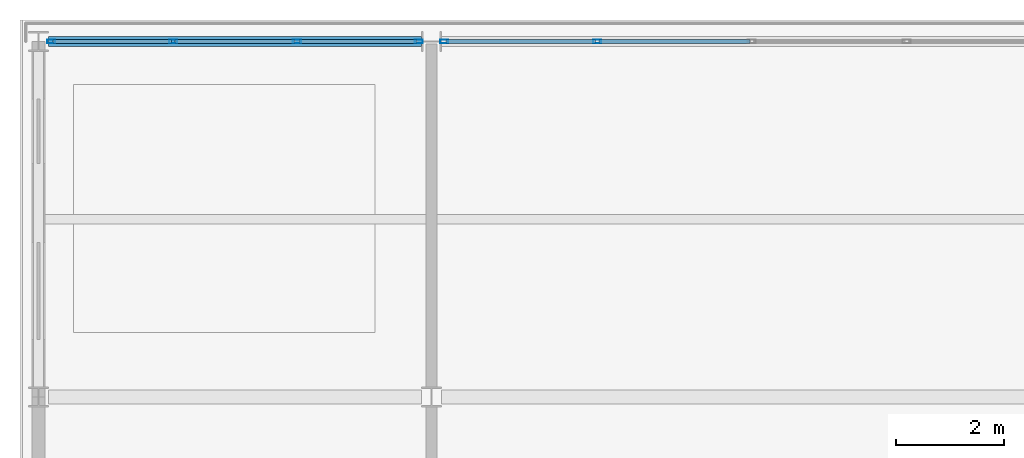
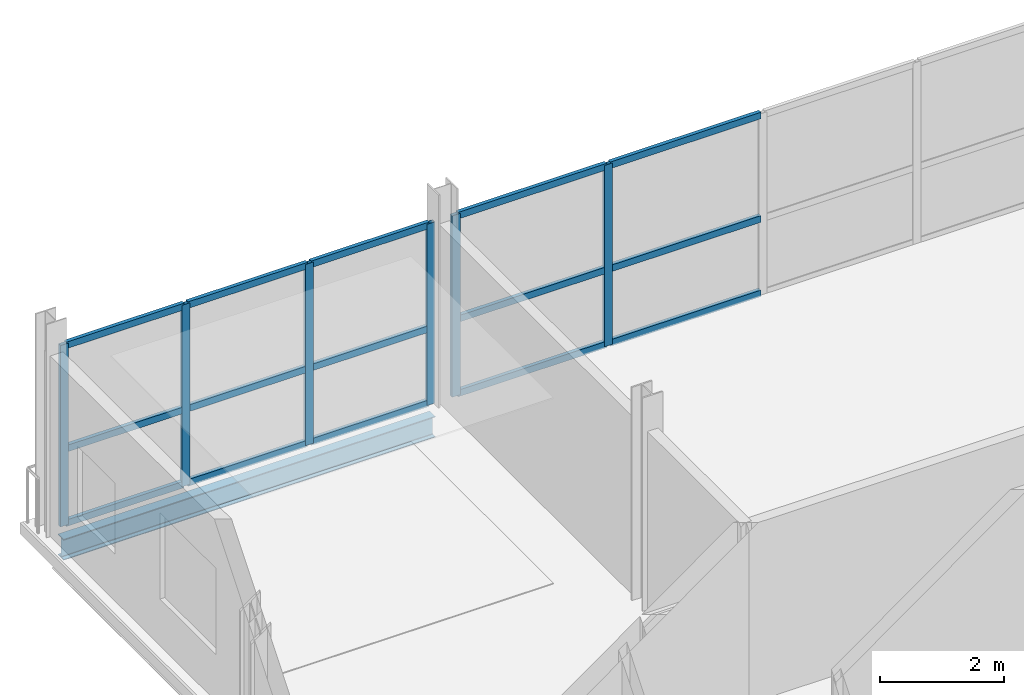
# One storey, part 11 of 20: 21 members, 1 beam, 2 elements without a shape of their own.
"""IFC4 building model written with IfcOpenShell, lengths in metres."""

from ifc_helpers import new_model, si_unit, direction, frame, origin, origin_2d, place, context, subcontext, project, spatial, hollow_rectangle, i_section, extrude, material, layer, layer_set, material_profile, profile_set, type_object, element, aggregate, save


model = new_model("IFC4")

# Units and contexts
model_context = context("Model", 3, precision=1e-05, world=origin(), true_north=direction((0.0, 1.0)))
body_context = subcontext(model_context, "Body", "Model", "MODEL_VIEW")
ifc_project = project(units=[si_unit("LENGTHUNIT", "METRE"), si_unit("AREAUNIT", "SQUARE_METRE"), si_unit("VOLUMEUNIT", "CUBIC_METRE"), si_unit("PLANEANGLEUNIT", "RADIAN"), si_unit("MASSUNIT", "GRAM", prefix="KILO")], contexts=[model_context])

# Site, building, storey
site_placement = place(None, origin())
site = spatial("IfcSite", under=ifc_project, at=site_placement, CompositionType="ELEMENT")
building_placement = place(site_placement, origin())
building = spatial("IfcBuilding", under=site, at=building_placement, Name="Quillay Park Conservatory", CompositionType="ELEMENT")
storey_placement = place(building_placement, frame((0.0, 0.0, 30.89990234375)))
storey = spatial("IfcBuildingStorey", under=building, at=storey_placement, Name="L07", CompositionType="ELEMENT", Elevation=30.89990234375)

# Curtain wall, members
ifc_material_1 = material(Name="Thermally Broken Anodised Aluminium 6063-T6", Category="aluminium")
ifc_layer = layer(ifc_material_1, 0.199951171875)
ifc_layer_set = layer_set([ifc_layer], Name="UNITISED CURTAIN WALL HERBARIUM (Thermally Broken Anodised Aluminium 6063-T6)")
curtain_wall_type = type_object("IfcCurtainWallType", Name="UNITISED CURTAIN WALL HERBARIUM", PredefinedType="USERDEFINED", material=ifc_layer_set)
curtain_wall_1_placement = place(storey_placement, origin())
curtain_wall_1 = element("IfcCurtainWall", 1, at=curtain_wall_1_placement, inside=storey, type_object=curtain_wall_type, Name="L07 Unitised Curtain Wall 075", ObjectType="UNITISED CURTAIN WALL", PredefinedType="USERDEFINED")
ifc_material_2 = material(Name="Thermally Broken Anodised Aluminium 6063-T6", Category="aluminium")
ifc_material_profile_1 = material_profile(ifc_material_2, hollow_rectangle(XDim=0.070068359375, YDim=0.14990234375, WallThickness=0.00341796875, at=origin_2d()), Name="AL70x150x3.5")
ifc_profile_set_1 = profile_set([ifc_material_profile_1], Name="Thermally Broken Anodised Aluminium 6063-T6")
member_type_1 = type_object("IfcMemberType", Name="CURTAIN WALL MULLION 70 X150", PredefinedType="MULLION", material=ifc_profile_set_1)
member_1_placement = place(storey_placement, frame((0.784912109375, 113.39990234375, 0.0), z_axis=(0.0, 0.0, 1.0), x_axis=(0.0, 1.0, 0.0)))
member_1 = element("IfcMember", 2, at=member_1_placement, type_object=member_type_1, Name="CW-T2 mullion 1", PredefinedType="MULLION", context=body_context, shape_type="SweptSolid", body=[
    extrude(hollow_rectangle(XDim=0.070068359375, YDim=0.14990234375, WallThickness=0.00341796875, at=origin_2d()), origin(), (0.0, 0.0, 1.0), 3.57421875),
])
member_2_placement = place(storey_placement, frame((3.050048828125, 113.39990234375, 0.0), z_axis=(0.0, 0.0, 1.0), x_axis=(0.0, 1.0, 0.0)))
member_2 = element("IfcMember", 3, at=member_2_placement, type_object=member_type_1, Name="CW-T2 mullion 2", PredefinedType="MULLION", context=body_context, shape_type="SweptSolid", body=[
    extrude(hollow_rectangle(XDim=0.070068359375, YDim=0.14990234375, WallThickness=0.00341796875, at=origin_2d()), origin(), (0.0, 0.0, 1.0), 3.57421875),
])
member_3_placement = place(storey_placement, frame((5.35009765625, 113.39990234375, 0.0), z_axis=(0.0, 0.0, 1.0), x_axis=(0.0, 1.0, 0.0)))
member_3 = element("IfcMember", 4, at=member_3_placement, type_object=member_type_1, Name="CW-T2 mullion 3", PredefinedType="MULLION", context=body_context, shape_type="SweptSolid", body=[
    extrude(hollow_rectangle(XDim=0.070068359375, YDim=0.14990234375, WallThickness=0.00341796875, at=origin_2d()), origin(), (0.0, 0.0, 1.0), 3.57421875),
])
member_4_placement = place(storey_placement, frame((7.614990234375, 113.39990234375, 0.0), z_axis=(0.0, 0.0, 1.0), x_axis=(0.0, 1.0, 0.0)))
member_4 = element("IfcMember", 5, at=member_4_placement, type_object=member_type_1, Name="CW-T2 mullion 4", PredefinedType="MULLION", context=body_context, shape_type="SweptSolid", body=[
    extrude(hollow_rectangle(XDim=0.070068359375, YDim=0.14990234375, WallThickness=0.00341796875, at=origin_2d()), origin(), (0.0, 0.0, 1.0), 3.57421875),
])

curtain_wall_2_placement = place(storey_placement, origin())
curtain_wall_2 = element("IfcCurtainWall", 6, at=curtain_wall_2_placement, inside=storey, type_object=curtain_wall_type, Name="L07 Unitised Curtain Wall 076", ObjectType="UNITISED CURTAIN WALL", PredefinedType="USERDEFINED")
member_5_placement = place(storey_placement, frame((8.0849609375, 113.39990234375, 0.0), z_axis=(0.0, 0.0, 1.0), x_axis=(0.0, 1.0, 0.0)))
member_5 = element("IfcMember", 7, at=member_5_placement, type_object=member_type_1, Name="CW-T2 mullion 1", PredefinedType="MULLION", context=body_context, shape_type="SweptSolid", body=[
    extrude(hollow_rectangle(XDim=0.070068359375, YDim=0.14990234375, WallThickness=0.00341796875, at=origin_2d()), origin(), (0.0, 0.0, 1.0), 3.57421875),
])
member_6_placement = place(storey_placement, frame((10.925048828125, 113.39990234375, 0.0), z_axis=(0.0, 0.0, 1.0), x_axis=(0.0, 1.0, 0.0)))
member_6 = element("IfcMember", 8, at=member_6_placement, type_object=member_type_1, Name="CW-T2 mullion 2", PredefinedType="MULLION", context=body_context, shape_type="SweptSolid", body=[
    extrude(hollow_rectangle(XDim=0.070068359375, YDim=0.14990234375, WallThickness=0.00341796875, at=origin_2d()), origin(), (0.0, 0.0, 1.0), 3.57421875),
])

# Member
ifc_material_3 = material(Name="Thermally Broken Anodised Aluminium 6063-T6", Category="aluminium")
ifc_material_profile_2 = material_profile(ifc_material_3, hollow_rectangle(XDim=0.070068359375, YDim=0.1298828125, WallThickness=0.003173828125, at=origin_2d()), Name="AL70x130x3.2")
ifc_profile_set_2 = profile_set([ifc_material_profile_2], Name="Thermally Broken Anodised Aluminium 6063-T6")
member_type_2 = type_object("IfcMemberType", Name="CURTAIN WALL TRANSOM 70 X130", PredefinedType="USERDEFINED", material=ifc_profile_set_2)
member_7_placement = place(storey_placement, frame((0.820068359375, 113.39990234375, 0.03515625), z_axis=(1.0, 0.0, 0.0), x_axis=(0.0, 1.0, 0.0)))
member_7 = element("IfcMember", 9, at=member_7_placement, type_object=member_type_2, Name="CW-T2 transom 1.1", ObjectType="TRANSOM", PredefinedType="USERDEFINED", context=body_context, shape_type="SweptSolid", body=[
    extrude(hollow_rectangle(XDim=0.070068359375, YDim=0.1298828125, WallThickness=0.003173828125, at=origin_2d()), origin(), (0.0, 0.0, 1.0), 2.19482421875),
])

member_8_placement = place(storey_placement, frame((0.820068359375, 113.39990234375, 1.501220703125), z_axis=(1.0, 0.0, 0.0), x_axis=(0.0, 1.0, 0.0)))
member_8 = element("IfcMember", 10, at=member_8_placement, type_object=member_type_2, Name="CW-T2 transom 1.2", ObjectType="TRANSOM", PredefinedType="USERDEFINED", context=body_context, shape_type="SweptSolid", body=[
    extrude(hollow_rectangle(XDim=0.070068359375, YDim=0.1298828125, WallThickness=0.003173828125, at=origin_2d()), origin(), (0.0, 0.0, 1.0), 2.19482421875),
])

member_9_placement = place(storey_placement, frame((0.820068359375, 113.39990234375, 3.5390625), z_axis=(1.0, 0.0, 0.0), x_axis=(0.0, 1.0, 0.0)))
member_9 = element("IfcMember", 11, at=member_9_placement, type_object=member_type_2, Name="CW-T2 transom 1.3", ObjectType="TRANSOM", PredefinedType="USERDEFINED", context=body_context, shape_type="SweptSolid", body=[
    extrude(hollow_rectangle(XDim=0.070068359375, YDim=0.1298828125, WallThickness=0.003173828125, at=origin_2d()), origin(), (0.0, 0.0, 1.0), 2.19482421875),
])

member_10_placement = place(storey_placement, frame((3.0849609375, 113.39990234375, 0.03515625), z_axis=(1.0, 0.0, 0.0), x_axis=(0.0, 1.0, 0.0)))
member_10 = element("IfcMember", 12, at=member_10_placement, type_object=member_type_2, Name="CW-T2 transom 2.1", ObjectType="TRANSOM", PredefinedType="USERDEFINED", context=body_context, shape_type="SweptSolid", body=[
    extrude(hollow_rectangle(XDim=0.070068359375, YDim=0.1298828125, WallThickness=0.003173828125, at=origin_2d()), origin(), (0.0, 0.0, 1.0), 2.22998046875),
])

member_11_placement = place(storey_placement, frame((3.0849609375, 113.39990234375, 1.501220703125), z_axis=(1.0, 0.0, 0.0), x_axis=(0.0, 1.0, 0.0)))
member_11 = element("IfcMember", 13, at=member_11_placement, type_object=member_type_2, Name="CW-T2 transom 2.2", ObjectType="TRANSOM", PredefinedType="USERDEFINED", context=body_context, shape_type="SweptSolid", body=[
    extrude(hollow_rectangle(XDim=0.070068359375, YDim=0.1298828125, WallThickness=0.003173828125, at=origin_2d()), origin(), (0.0, 0.0, 1.0), 2.22998046875),
])

member_12_placement = place(storey_placement, frame((3.0849609375, 113.39990234375, 3.5390625), z_axis=(1.0, 0.0, 0.0), x_axis=(0.0, 1.0, 0.0)))
member_12 = element("IfcMember", 14, at=member_12_placement, type_object=member_type_2, Name="CW-T2 transom 2.3", ObjectType="TRANSOM", PredefinedType="USERDEFINED", context=body_context, shape_type="SweptSolid", body=[
    extrude(hollow_rectangle(XDim=0.070068359375, YDim=0.1298828125, WallThickness=0.003173828125, at=origin_2d()), origin(), (0.0, 0.0, 1.0), 2.22998046875),
])

member_13_placement = place(storey_placement, frame((5.385009765625, 113.39990234375, 0.03515625), z_axis=(1.0, 0.0, 0.0), x_axis=(0.0, 1.0, 0.0)))
member_13 = element("IfcMember", 15, at=member_13_placement, type_object=member_type_2, Name="CW-T2 transom 3.1", ObjectType="TRANSOM", PredefinedType="USERDEFINED", context=body_context, shape_type="SweptSolid", body=[
    extrude(hollow_rectangle(XDim=0.070068359375, YDim=0.1298828125, WallThickness=0.003173828125, at=origin_2d()), origin(), (0.0, 0.0, 1.0), 2.195068359375),
])

member_14_placement = place(storey_placement, frame((5.385009765625, 113.39990234375, 1.501220703125), z_axis=(1.0, 0.0, 0.0), x_axis=(0.0, 1.0, 0.0)))
member_14 = element("IfcMember", 16, at=member_14_placement, type_object=member_type_2, Name="CW-T2 transom 3.2", ObjectType="TRANSOM", PredefinedType="USERDEFINED", context=body_context, shape_type="SweptSolid", body=[
    extrude(hollow_rectangle(XDim=0.070068359375, YDim=0.1298828125, WallThickness=0.003173828125, at=origin_2d()), origin(), (0.0, 0.0, 1.0), 2.195068359375),
])

member_15_placement = place(storey_placement, frame((5.385009765625, 113.39990234375, 3.5390625), z_axis=(1.0, 0.0, 0.0), x_axis=(0.0, 1.0, 0.0)))
member_15 = element("IfcMember", 17, at=member_15_placement, type_object=member_type_2, Name="CW-T2 transom 3.3", ObjectType="TRANSOM", PredefinedType="USERDEFINED", context=body_context, shape_type="SweptSolid", body=[
    extrude(hollow_rectangle(XDim=0.070068359375, YDim=0.1298828125, WallThickness=0.003173828125, at=origin_2d()), origin(), (0.0, 0.0, 1.0), 2.195068359375),
])

aggregate(curtain_wall_1, [member_1, member_2, member_3, member_4, member_7, member_8, member_9, member_10, member_11, member_12, member_13, member_14, member_15])

member_16_placement = place(storey_placement, frame((8.1201171875, 113.39990234375, 0.03515625), z_axis=(1.0, 0.0, 0.0), x_axis=(0.0, 1.0, 0.0)))
member_16 = element("IfcMember", 18, at=member_16_placement, type_object=member_type_2, Name="CW-T2 transom 1.1", ObjectType="TRANSOM", PredefinedType="USERDEFINED", context=body_context, shape_type="SweptSolid", body=[
    extrude(hollow_rectangle(XDim=0.070068359375, YDim=0.1298828125, WallThickness=0.003173828125, at=origin_2d()), origin(), (0.0, 0.0, 1.0), 2.769775390625),
])

member_17_placement = place(storey_placement, frame((8.1201171875, 113.39990234375, 1.501220703125), z_axis=(1.0, 0.0, 0.0), x_axis=(0.0, 1.0, 0.0)))
member_17 = element("IfcMember", 19, at=member_17_placement, type_object=member_type_2, Name="CW-T2 transom 1.2", ObjectType="TRANSOM", PredefinedType="USERDEFINED", context=body_context, shape_type="SweptSolid", body=[
    extrude(hollow_rectangle(XDim=0.070068359375, YDim=0.1298828125, WallThickness=0.003173828125, at=origin_2d()), origin(), (0.0, 0.0, 1.0), 2.769775390625),
])

member_18_placement = place(storey_placement, frame((8.1201171875, 113.39990234375, 3.5390625), z_axis=(1.0, 0.0, 0.0), x_axis=(0.0, 1.0, 0.0)))
member_18 = element("IfcMember", 20, at=member_18_placement, type_object=member_type_2, Name="CW-T2 transom 1.3", ObjectType="TRANSOM", PredefinedType="USERDEFINED", context=body_context, shape_type="SweptSolid", body=[
    extrude(hollow_rectangle(XDim=0.070068359375, YDim=0.1298828125, WallThickness=0.003173828125, at=origin_2d()), origin(), (0.0, 0.0, 1.0), 2.769775390625),
])

member_19_placement = place(storey_placement, frame((10.9599609375, 113.39990234375, 0.03515625), z_axis=(1.0, 0.0, 0.0), x_axis=(0.0, 1.0, 0.0)))
member_19 = element("IfcMember", 21, at=member_19_placement, type_object=member_type_2, Name="CW-T2 transom 2.1", ObjectType="TRANSOM", PredefinedType="USERDEFINED", context=body_context, shape_type="SweptSolid", body=[
    extrude(hollow_rectangle(XDim=0.070068359375, YDim=0.1298828125, WallThickness=0.003173828125, at=origin_2d()), origin(), (0.0, 0.0, 1.0), 2.804931640625),
])

member_20_placement = place(storey_placement, frame((10.9599609375, 113.39990234375, 1.501220703125), z_axis=(1.0, 0.0, 0.0), x_axis=(0.0, 1.0, 0.0)))
member_20 = element("IfcMember", 22, at=member_20_placement, type_object=member_type_2, Name="CW-T2 transom 2.2", ObjectType="TRANSOM", PredefinedType="USERDEFINED", context=body_context, shape_type="SweptSolid", body=[
    extrude(hollow_rectangle(XDim=0.070068359375, YDim=0.1298828125, WallThickness=0.003173828125, at=origin_2d()), origin(), (0.0, 0.0, 1.0), 2.804931640625),
])

member_21_placement = place(storey_placement, frame((10.9599609375, 113.39990234375, 3.5390625), z_axis=(1.0, 0.0, 0.0), x_axis=(0.0, 1.0, 0.0)))
member_21 = element("IfcMember", 23, at=member_21_placement, type_object=member_type_2, Name="CW-T2 transom 2.3", ObjectType="TRANSOM", PredefinedType="USERDEFINED", context=body_context, shape_type="SweptSolid", body=[
    extrude(hollow_rectangle(XDim=0.070068359375, YDim=0.1298828125, WallThickness=0.003173828125, at=origin_2d()), origin(), (0.0, 0.0, 1.0), 2.804931640625),
])

aggregate(curtain_wall_2, [member_5, member_6, member_16, member_17, member_18, member_19, member_20, member_21])

# Beam
ifc_material_4 = material(Name="Steel ASTM A992 Grade 50", Category="steel")
ifc_material_profile_3 = material_profile(ifc_material_4, i_section(OverallWidth=0.179931640625, OverallDepth=0.4130859375, WebThickness=0.009765625, FlangeThickness=0.01611328125, FilletRadius=0.011962890625, at=origin_2d()), Name="W410x74")
ifc_profile_set_3 = profile_set([ifc_material_profile_3], Name="Steel ASTM A992 Grade 50")
beam_type = type_object("IfcBeamType", Name="PERIMETER SPANDREL BEAM W410 X74", PredefinedType="SPANDREL", material=ifc_profile_set_3)
beam_placement = place(storey_placement, frame((0.737060546875, 113.39990234375, -0.426513671875), z_axis=(1.0, 0.0, 0.0), x_axis=(0.0, 1.0, 0.0)))
element("IfcBeam", 24, at=beam_placement, inside=storey, type_object=beam_type, Name="L07 beam BM-SP-0535", PredefinedType="SPANDREL", context=body_context, shape_type="SweptSolid", body=[
    extrude(i_section(OverallWidth=0.179931640625, OverallDepth=0.4130859375, WebThickness=0.009765625, FlangeThickness=0.01611328125, FilletRadius=0.011962890625, at=origin_2d()), origin(), (0.0, 0.0, 1.0), 6.927001953125),
])

save(model, "model.ifc")
